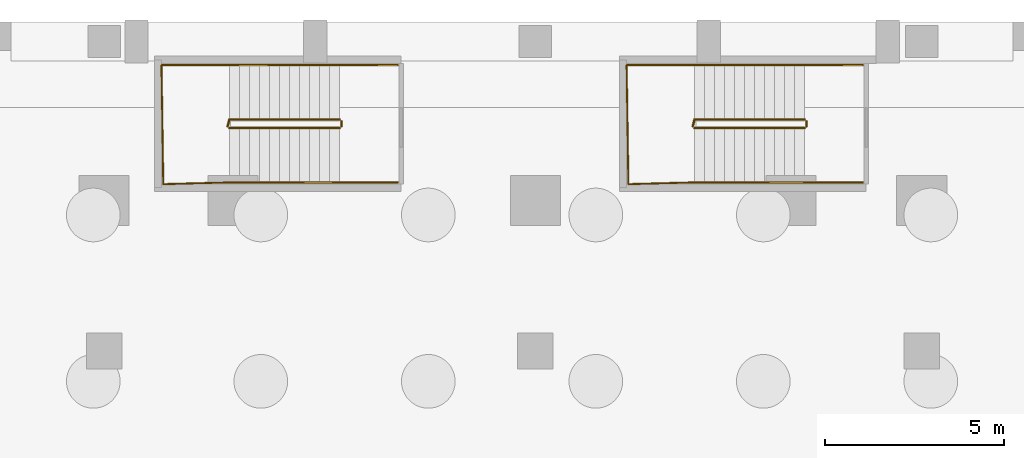
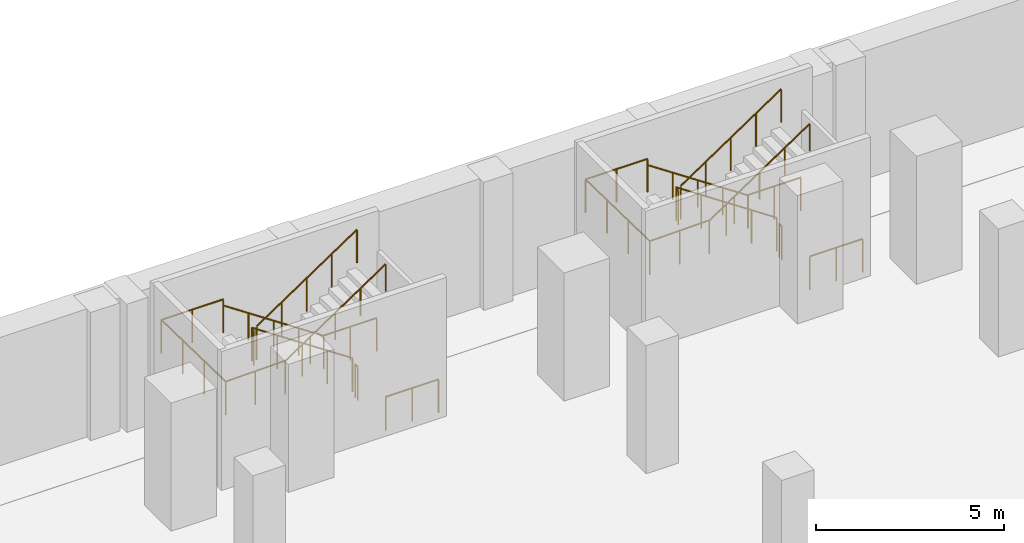
# One storey, part 17 of 18: 16 railings.
"""IFC4 building model written with IfcOpenShell, lengths in metres."""

import ifcopenshell
import ifcopenshell.guid

model = None  # the IFC model being written
_history = None  # IfcOwnerHistory: only IFC2X3 demands one
_inside = {}  # id of a spatial element -> (the spatial element, [elements in it])
_under = {}  # id of a project, library or spatial element -> (it, [spatial elements below it])
_declared = {}  # id of a project -> (the project, [libraries it declares])
_typed = {}  # id of a type object -> (the type object, [elements of that type])
_made_of = {}  # id of a material, layer set ... -> (it, [elements and type objects made of it])


def new_model(schema):
    """Start an empty IFC model of exactly this schema.

    Asked for "IFC4X3", IfcOpenShell would pick the latest addendum, in which some entities
    have other attributes; the version numbers below select the first issue.
    IFC2X3 requires an IfcOwnerHistory on every rooted entity: one is made here for all.
    """
    global model, _history
    if schema == "IFC4X3":
        model = ifcopenshell.file(schema_version=(4, 3, 0, 0))
    else:
        model = ifcopenshell.file(schema=schema)
    _inside.clear()
    _under.clear()
    _declared.clear()
    _typed.clear()
    _made_of.clear()
    _history = None
    if model.schema == "IFC2X3":
        org = make("IfcOrganization", Name="unknown")
        user = make(
            "IfcPersonAndOrganization",
            ThePerson=make("IfcPerson", FamilyName="unknown"),
            TheOrganization=org,
        )
        app = make(
            "IfcApplication",
            ApplicationDeveloper=org,
            Version="unknown",
            ApplicationFullName="unknown",
            ApplicationIdentifier="unknown",
        )
        _history = make(
            "IfcOwnerHistory",
            OwningUser=user,
            OwningApplication=app,
            ChangeAction="ADDED",
            CreationDate=0,
        )
    return model


def make(cls, **values):
    """One entity of the class cls with the attributes given. An attribute that is None is left unset."""
    return model.create_entity(
        cls, **{name: value for name, value in values.items() if value is not None}
    )


def rooted(cls, **values):
    """An entity with a GlobalId (a new one), such as an element, a storey or a relation."""
    return make(cls, GlobalId=ifcopenshell.guid.new(), OwnerHistory=_history, **values)


def si_unit(unit_type, name, prefix=None):
    """IfcSIUnit, for example si_unit("LENGTHUNIT", "METRE", prefix="MILLI")."""
    return make("IfcSIUnit", UnitType=unit_type, Prefix=prefix, Name=name)


def assignment(units):
    """IfcUnitAssignment: the units of a project."""
    return None if units is None else make("IfcUnitAssignment", Units=units)


def point(xyz):
    """IfcCartesianPoint."""
    return None if xyz is None else make("IfcCartesianPoint", Coordinates=xyz)


def direction(xyz):
    """IfcDirection."""
    return None if xyz is None else make("IfcDirection", DirectionRatios=xyz)


def frame(location, z_axis=None, x_axis=None):
    """IfcAxis2Placement3D, a coordinate frame: its origin and axes. An axis left out is left unset."""
    return make(
        "IfcAxis2Placement3D",
        Location=point(location),
        Axis=direction(z_axis),
        RefDirection=direction(x_axis),
    )


def frame_2d(location, x_axis=None):
    """IfcAxis2Placement2D, a coordinate frame in the plane: its origin and x axis."""
    return make(
        "IfcAxis2Placement2D", Location=point(location), RefDirection=direction(x_axis)
    )


def origin():
    """The frame at (0, 0, 0) with its axes left unset."""
    return frame((0.0, 0.0, 0.0))


def origin_2d():
    """The frame at (0, 0) in the plane with its x axis left unset."""
    return frame_2d((0.0, 0.0))


def place(relative_to, where):
    """IfcLocalPlacement: puts the frame where relative to a parent placement (None: the world)."""
    return make(
        "IfcLocalPlacement", PlacementRelTo=relative_to, RelativePlacement=where
    )


def context(
    kind, dimensions, precision=None, world=None, true_north=None, identifier=None
):
    """IfcGeometricRepresentationContext, for example the 3D "Model" context."""
    return make(
        "IfcGeometricRepresentationContext",
        ContextIdentifier=identifier,
        ContextType=kind,
        CoordinateSpaceDimension=dimensions,
        Precision=precision,
        WorldCoordinateSystem=world,
        TrueNorth=true_north,
    )


def subcontext(parent, identifier, kind, view, scale=None):
    """IfcGeometricRepresentationSubContext, for example "Body" below "Model"."""
    return make(
        "IfcGeometricRepresentationSubContext",
        ContextIdentifier=identifier,
        ContextType=kind,
        ParentContext=parent,
        TargetScale=scale,
        TargetView=view,
    )


def project(units=None, contexts=None):
    """IfcProject with its units and contexts."""
    return rooted(
        "IfcProject",
        Name="project",
        RepresentationContexts=contexts,
        UnitsInContext=assignment(units),
    )


def spatial(cls, under=None, at=None, **own):
    """A site, building, storey or space (cls), placed at a placement, below another one or the project."""
    s = rooted(cls, ObjectPlacement=at, **own)
    if under is not None:
        _under.setdefault(under.id(), (under, []))[1].append(s)
    return s


def profile(cls, at=None, kind="AREA", **sizes):
    """A parametric profile (cls). Its sizes go by their IFC names, for example OverallWidth=200.0."""
    return make(cls, ProfileType=kind, Position=at, **sizes)


def circle(**sizes):
    """IfcCircleProfileDef."""
    return profile("IfcCircleProfileDef", **sizes)


def extrude(swept, where, along, depth):
    """IfcExtrudedAreaSolid: the profile swept, set in the frame where, extruded along a direction by depth."""
    return make(
        "IfcExtrudedAreaSolid",
        SweptArea=swept,
        Position=where,
        ExtrudedDirection=direction(along),
        Depth=depth,
    )


def shape(context_of_items, identifier, shape_type, items):
    """IfcShapeRepresentation: the items that make up one representation, for example the "Body"."""
    return make(
        "IfcShapeRepresentation",
        ContextOfItems=context_of_items,
        RepresentationIdentifier=identifier,
        RepresentationType=shape_type,
        Items=items,
    )


def material(Name=None, Category=None):
    """IfcMaterial."""
    return make("IfcMaterial", Name=Name, Category=Category)


def layer(
    of_material, thickness, ventilated=None, Name=None, Category=None, Priority=None
):
    """IfcMaterialLayer: one layer of a wall or slab, of a material (None: an air gap)."""
    return make(
        "IfcMaterialLayer",
        Material=of_material,
        LayerThickness=thickness,
        IsVentilated=ventilated,
        Name=Name,
        Category=Category,
        Priority=Priority,
    )


def layer_set(layers, Name=None):
    """IfcMaterialLayerSet."""
    return make("IfcMaterialLayerSet", MaterialLayers=layers, LayerSetName=Name)


def made_of(thing, what):
    """Note that an element or type object is made of a material, layer set ...; save() writes the relation."""
    if what is not None:
        _made_of.setdefault(what.id(), (what, []))[1].append(thing)
    return thing


def type_object(cls, material=None, **own):
    """A type object (cls), such as IfcWallType, which elements share."""
    return made_of(rooted(cls, **own), material)


def element(
    cls,
    number,
    at=None,
    inside=None,
    cuts=None,
    type_object=None,
    material=None,
    context=None,
    identifier="Body",
    shape_type=None,
    held_by="IfcProductDefinitionShape",
    body=None,
    shapes=None,
    **own,
):
    """One element of the class cls, such as IfcWall. Its Tag is "e" and its number.

    at: its placement. inside: the storey or other place that contains it. cuts: it is an
    opening in that element (IfcRelVoidsElement). A single representation is given by context,
    identifier, shape_type and body (its items); several are given by shapes. held_by: the class
    of the entity that holds the representations. save() writes the other relations.
    """
    e = rooted(cls, Tag="e%d" % number, ObjectPlacement=at, **own)
    if body is not None:
        shapes = [shape(context, identifier, shape_type, body)]
    if shapes is not None:
        e.Representation = make(held_by, Representations=shapes)
    if inside is not None:
        _inside.setdefault(inside.id(), (inside, []))[1].append(e)
    if cuts is not None:
        rooted(
            "IfcRelVoidsElement", RelatingBuildingElement=cuts, RelatedOpeningElement=e
        )
    if type_object is not None:
        _typed.setdefault(type_object.id(), (type_object, []))[1].append(e)
    return made_of(e, material)


def aggregate(whole, parts):
    """IfcRelAggregates: a whole, such as a stair, and the parts it consists of."""
    return rooted("IfcRelAggregates", RelatingObject=whole, RelatedObjects=parts)


def save(model, path):
    """Write the relations noted so far, then the file.

    IfcRelAggregates (storeys below a building ...), IfcRelContainedInSpatialStructure (elements
    in a storey), IfcRelDefinesByType, IfcRelAssociatesMaterial and IfcRelDeclares: one each for
    every whole, place, type object, material and project.
    """
    for whole, parts in _under.values():
        aggregate(whole, parts)
    for where, things in _inside.values():
        rooted(
            "IfcRelContainedInSpatialStructure",
            RelatedElements=things,
            RelatingStructure=where,
        )
    for kind, things in _typed.values():
        rooted("IfcRelDefinesByType", RelatedObjects=things, RelatingType=kind)
    for what, things in _made_of.values():
        rooted("IfcRelAssociatesMaterial", RelatedObjects=things, RelatingMaterial=what)
    for by, libraries in _declared.values():
        rooted("IfcRelDeclares", RelatingContext=by, RelatedDefinitions=libraries)
    model.write(path)


model = new_model("IFC4")

# Units and contexts
model_context = context("Model", 3, precision=1e-05, world=origin(), true_north=direction((0.0, 1.0)))
body_context = subcontext(model_context, "Body", "Model", "MODEL_VIEW")
ifc_project = project(units=[si_unit("LENGTHUNIT", "METRE"), si_unit("AREAUNIT", "SQUARE_METRE"), si_unit("VOLUMEUNIT", "CUBIC_METRE"), si_unit("PLANEANGLEUNIT", "RADIAN"), si_unit("MASSUNIT", "GRAM", prefix="KILO")], contexts=[model_context])

# Site, building, storey
site_placement = place(None, origin())
site = spatial("IfcSite", under=ifc_project, at=site_placement, CompositionType="ELEMENT")
building_placement = place(site_placement, origin())
building = spatial("IfcBuilding", under=site, at=building_placement, Name="Ndaravel Arena Tower", CompositionType="ELEMENT")
storey_placement = place(building_placement, frame((0.0, 0.0, -9.0)))
storey = spatial("IfcBuildingStorey", under=building, at=storey_placement, Name="B02", CompositionType="ELEMENT", Elevation=-9.0)

# Railings
ifc_material_1 = material(Name="Steel S355", Category="steel")
ifc_layer_1 = layer(ifc_material_1, 0.06005859375)
ifc_layer_set_1 = layer_set([ifc_layer_1], Name="Steel S355")
railing_type_1 = type_object("IfcRailingType", Name="RAIL-STAIR-GD1100", PredefinedType="GUARDRAIL", material=ifc_layer_set_1)
railing_1_placement = place(storey_placement, frame((37.179931640625, 45.27001953125, 0.1875)))
element("IfcRailing", 1, at=railing_1_placement, inside=storey, type_object=railing_type_1, Name="B02 ST-B3 stair guard 1", PredefinedType="GUARDRAIL", context=body_context, shape_type="SweptSolid", body=[
    extrude(circle(Radius=0.02392578125, at=origin_2d()), frame((0.0, 0.0, 1.076171875), z_axis=(-0.830893310487, 0.0, 0.556431762742), x_axis=(0.0, -1.0, 0.0)), (0.0, 0.0, 1.0), 3.70654296875),
    extrude(circle(Radius=0.02392578125, at=origin_2d()), frame((-3.079833984375, 0.0, 3.138671875), z_axis=(-0.254799187253, -0.966993988697, 0.0), x_axis=(0.966993988697, -0.254799187253, 0.0)), (0.0, 0.0, 1.0), 0.196533203125),
    extrude(circle(Radius=0.02099609375, at=origin_2d()), origin(), (0.0, 0.0, 1.0), 1.052001953125),
    extrude(circle(Radius=0.02099609375, at=origin_2d()), frame((-0.77001953125, 0.0, 0.515625)), (0.0, 0.0, 1.0), 1.052001953125),
    extrude(circle(Radius=0.02099609375, at=origin_2d()), frame((-1.5400390625, 0.0, 1.03125)), (0.0, 0.0, 1.0), 1.052001953125),
    extrude(circle(Radius=0.02099609375, at=origin_2d()), frame((-2.309814453125, 0.0, 1.546875)), (0.0, 0.0, 1.0), 1.052001953125),
    extrude(circle(Radius=0.02099609375, at=origin_2d()), frame((-3.079833984375, 0.0, 2.0625)), (0.0, 0.0, 1.0), 1.052001953125),
    extrude(circle(Radius=0.02099609375, at=origin_2d()), frame((-3.1298828125, -0.18994140625, 2.0625)), (0.0, 0.0, 1.0), 1.052001953125),
])
railing_2_placement = place(storey_placement, frame((34.10009765625, 46.7900390625, 2.25)))
element("IfcRailing", 2, at=railing_2_placement, inside=storey, type_object=railing_type_1, Name="B02 ST-B3 stair guard 2", PredefinedType="GUARDRAIL", context=body_context, shape_type="SweptSolid", body=[
    extrude(circle(Radius=0.02392578125, at=origin_2d()), frame((0.0, 0.0, 1.076171875), z_axis=(-1.0, 0.0, 0.0), x_axis=(0.0, -1.0, 0.0)), (0.0, 0.0, 1.0), 1.900146484375),
    extrude(circle(Radius=0.02392578125, at=origin_2d()), frame((-1.900146484375, 0.0, 1.076171875), z_axis=(0.015027628384, -0.999887078817, 0.0), x_axis=(0.999887078817, 0.015027628384, 0.0)), (0.0, 0.0, 1.0), 3.33056640625),
    extrude(circle(Radius=0.02392578125, at=origin_2d()), frame((-1.85009765625, -3.330078125, 1.076171875), z_axis=(0.999634295555, 0.027042099576, 0.0), x_axis=(-0.027042099576, 0.999634295555, 0.0)), (0.0, 0.0, 1.0), 1.850830078125),
    extrude(circle(Radius=0.02099609375, at=origin_2d()), origin(), (0.0, 0.0, 1.0), 1.052001953125),
    extrude(circle(Radius=0.02099609375, at=origin_2d()), frame((-0.9501953125, 0.0, 0.0)), (0.0, 0.0, 1.0), 1.052001953125),
    extrude(circle(Radius=0.02099609375, at=origin_2d()), frame((-1.900146484375, 0.0, 0.0)), (0.0, 0.0, 1.0), 1.052001953125),
    extrude(circle(Radius=0.02099609375, at=origin_2d()), frame((-1.883544921875, -1.110107421875, 0.0)), (0.0, 0.0, 1.0), 1.052001953125),
    extrude(circle(Radius=0.02099609375, at=origin_2d()), frame((-1.86669921875, -2.219970703125, 0.0)), (0.0, 0.0, 1.0), 1.052001953125),
    extrude(circle(Radius=0.02099609375, at=origin_2d()), frame((-1.85009765625, -3.330078125, 0.0)), (0.0, 0.0, 1.0), 1.052001953125),
    extrude(circle(Radius=0.02099609375, at=origin_2d()), frame((-0.925048828125, -3.30517578125, 0.0)), (0.0, 0.0, 1.0), 1.052001953125),
    extrude(circle(Radius=0.02099609375, at=origin_2d()), frame((0.0, -3.280029296875, 0.0)), (0.0, 0.0, 1.0), 1.052001953125),
])
railing_3_placement = place(storey_placement, frame((34.10009765625, 45.030029296875, 2.4375)))
element("IfcRailing", 3, at=railing_3_placement, inside=storey, type_object=railing_type_1, Name="B02 ST-B3 stair guard 3", PredefinedType="GUARDRAIL", context=body_context, shape_type="SweptSolid", body=[
    extrude(circle(Radius=0.02392578125, at=origin_2d()), frame((0.0, 0.0, 1.076171875), z_axis=(0.830893310487, 0.0, 0.556431762742), x_axis=(0.0, 1.0, 0.0)), (0.0, 0.0, 1.0), 3.70654296875),
    extrude(circle(Radius=0.02099609375, at=origin_2d()), origin(), (0.0, 0.0, 1.0), 1.052001953125),
    extrude(circle(Radius=0.02099609375, at=origin_2d()), frame((0.77001953125, 0.0, 0.515625)), (0.0, 0.0, 1.0), 1.052001953125),
    extrude(circle(Radius=0.02099609375, at=origin_2d()), frame((1.5400390625, 0.0, 1.03125)), (0.0, 0.0, 1.0), 1.052001953125),
    extrude(circle(Radius=0.02099609375, at=origin_2d()), frame((2.309814453125, 0.0, 1.546875)), (0.0, 0.0, 1.0), 1.052001953125),
    extrude(circle(Radius=0.02099609375, at=origin_2d()), frame((3.079833984375, 0.0, 2.0625)), (0.0, 0.0, 1.0), 1.052001953125),
])
railing_4_placement = place(storey_placement, frame((37.22998046875, 45.219970703125, 0.0)))
element("IfcRailing", 4, at=railing_4_placement, inside=storey, type_object=railing_type_1, Name="B02 ST-B3 stair guard 4", PredefinedType="GUARDRAIL", context=body_context, shape_type="SweptSolid", body=[
    extrude(circle(Radius=0.02392578125, at=origin_2d()), frame((0.0, 0.0, 1.076171875), z_axis=(0.0, -1.0, 0.0), x_axis=(1.0, 0.0, 0.0)), (0.0, 0.0, 1.0), 0.139892578125),
    extrude(circle(Radius=0.02099609375, at=origin_2d()), origin(), (0.0, 0.0, 1.0), 1.052001953125),
    extrude(circle(Radius=0.02099609375, at=origin_2d()), frame((0.0, -0.139892578125, 0.0)), (0.0, 0.0, 1.0), 1.052001953125),
])
for number, where, name in (
    (5, (38.800048828125, 46.7900390625, 0.0), "B02 ST-B3 stair guard 5"),
    (6, (38.800048828125, 43.510009765625, 0.0), "B02 ST-B3 stair guard 6"),
):
    element("IfcRailing", number, at=place(storey_placement, frame(where)), inside=storey, type_object=railing_type_1, Name=name, PredefinedType="GUARDRAIL", context=body_context, shape_type="SweptSolid", body=[
        extrude(circle(Radius=0.02392578125, at=origin_2d()), frame((0.0, 0.0, 1.076171875), z_axis=(-1.0, 0.0, 0.0), x_axis=(0.0, -1.0, 0.0)), (0.0, 0.0, 1.0), 1.6201171875),
        extrude(circle(Radius=0.02099609375, at=origin_2d()), origin(), (0.0, 0.0, 1.0), 1.052001953125),
        extrude(circle(Radius=0.02099609375, at=origin_2d()), frame((-0.81005859375, 0.0, 0.0)), (0.0, 0.0, 1.0), 1.052001953125),
        extrude(circle(Radius=0.02099609375, at=origin_2d()), frame((-1.6201171875, 0.0, 0.0)), (0.0, 0.0, 1.0), 1.052001953125),
    ])
railing_5_placement = place(storey_placement, frame((50.179931640625, 45.27001953125, 0.1875)))
element("IfcRailing", 7, at=railing_5_placement, inside=storey, type_object=railing_type_1, Name="B02 ST-B4 stair guard 1", PredefinedType="GUARDRAIL", context=body_context, shape_type="SweptSolid", body=[
    extrude(circle(Radius=0.02392578125, at=origin_2d()), frame((0.0, 0.0, 1.076171875), z_axis=(-0.830893310487, 0.0, 0.556431762742), x_axis=(0.0, -1.0, 0.0)), (0.0, 0.0, 1.0), 3.70654296875),
    extrude(circle(Radius=0.02392578125, at=origin_2d()), frame((-3.079833984375, 0.0, 3.138671875), z_axis=(-0.254799187253, -0.966993988697, 0.0), x_axis=(0.966993988697, -0.254799187253, 0.0)), (0.0, 0.0, 1.0), 0.196533203125),
    extrude(circle(Radius=0.02099609375, at=origin_2d()), origin(), (0.0, 0.0, 1.0), 1.052001953125),
    extrude(circle(Radius=0.02099609375, at=origin_2d()), frame((-0.77001953125, 0.0, 0.515625)), (0.0, 0.0, 1.0), 1.052001953125),
    extrude(circle(Radius=0.02099609375, at=origin_2d()), frame((-1.5400390625, 0.0, 1.03125)), (0.0, 0.0, 1.0), 1.052001953125),
    extrude(circle(Radius=0.02099609375, at=origin_2d()), frame((-2.309814453125, 0.0, 1.546875)), (0.0, 0.0, 1.0), 1.052001953125),
    extrude(circle(Radius=0.02099609375, at=origin_2d()), frame((-3.079833984375, 0.0, 2.0625)), (0.0, 0.0, 1.0), 1.052001953125),
    extrude(circle(Radius=0.02099609375, at=origin_2d()), frame((-3.1298828125, -0.18994140625, 2.0625)), (0.0, 0.0, 1.0), 1.052001953125),
])
railing_6_placement = place(storey_placement, frame((47.10009765625, 46.7900390625, 2.25)))
element("IfcRailing", 8, at=railing_6_placement, inside=storey, type_object=railing_type_1, Name="B02 ST-B4 stair guard 2", PredefinedType="GUARDRAIL", context=body_context, shape_type="SweptSolid", body=[
    extrude(circle(Radius=0.02392578125, at=origin_2d()), frame((0.0, 0.0, 1.076171875), z_axis=(-1.0, 0.0, 0.0), x_axis=(0.0, -1.0, 0.0)), (0.0, 0.0, 1.0), 1.900146484375),
    extrude(circle(Radius=0.02392578125, at=origin_2d()), frame((-1.900146484375, 0.0, 1.076171875), z_axis=(0.015027628384, -0.999887078817, 0.0), x_axis=(0.999887078817, 0.015027628384, 0.0)), (0.0, 0.0, 1.0), 3.33056640625),
    extrude(circle(Radius=0.02392578125, at=origin_2d()), frame((-1.85009765625, -3.330078125, 1.076171875), z_axis=(0.999634295555, 0.027042099576, 0.0), x_axis=(-0.027042099576, 0.999634295555, 0.0)), (0.0, 0.0, 1.0), 1.850830078125),
    extrude(circle(Radius=0.02099609375, at=origin_2d()), origin(), (0.0, 0.0, 1.0), 1.052001953125),
    extrude(circle(Radius=0.02099609375, at=origin_2d()), frame((-0.9501953125, 0.0, 0.0)), (0.0, 0.0, 1.0), 1.052001953125),
    extrude(circle(Radius=0.02099609375, at=origin_2d()), frame((-1.900146484375, 0.0, 0.0)), (0.0, 0.0, 1.0), 1.052001953125),
    extrude(circle(Radius=0.02099609375, at=origin_2d()), frame((-1.883544921875, -1.110107421875, 0.0)), (0.0, 0.0, 1.0), 1.052001953125),
    extrude(circle(Radius=0.02099609375, at=origin_2d()), frame((-1.86669921875, -2.219970703125, 0.0)), (0.0, 0.0, 1.0), 1.052001953125),
    extrude(circle(Radius=0.02099609375, at=origin_2d()), frame((-1.85009765625, -3.330078125, 0.0)), (0.0, 0.0, 1.0), 1.052001953125),
    extrude(circle(Radius=0.02099609375, at=origin_2d()), frame((-0.925048828125, -3.30517578125, 0.0)), (0.0, 0.0, 1.0), 1.052001953125),
    extrude(circle(Radius=0.02099609375, at=origin_2d()), frame((0.0, -3.280029296875, 0.0)), (0.0, 0.0, 1.0), 1.052001953125),
])
railing_7_placement = place(storey_placement, frame((47.10009765625, 45.030029296875, 2.4375)))
element("IfcRailing", 9, at=railing_7_placement, inside=storey, type_object=railing_type_1, Name="B02 ST-B4 stair guard 3", PredefinedType="GUARDRAIL", context=body_context, shape_type="SweptSolid", body=[
    extrude(circle(Radius=0.02392578125, at=origin_2d()), frame((0.0, 0.0, 1.076171875), z_axis=(0.830893310487, 0.0, 0.556431762742), x_axis=(0.0, 1.0, 0.0)), (0.0, 0.0, 1.0), 3.70654296875),
    extrude(circle(Radius=0.02099609375, at=origin_2d()), origin(), (0.0, 0.0, 1.0), 1.052001953125),
    extrude(circle(Radius=0.02099609375, at=origin_2d()), frame((0.77001953125, 0.0, 0.515625)), (0.0, 0.0, 1.0), 1.052001953125),
    extrude(circle(Radius=0.02099609375, at=origin_2d()), frame((1.5400390625, 0.0, 1.03125)), (0.0, 0.0, 1.0), 1.052001953125),
    extrude(circle(Radius=0.02099609375, at=origin_2d()), frame((2.309814453125, 0.0, 1.546875)), (0.0, 0.0, 1.0), 1.052001953125),
    extrude(circle(Radius=0.02099609375, at=origin_2d()), frame((3.079833984375, 0.0, 2.0625)), (0.0, 0.0, 1.0), 1.052001953125),
])
railing_8_placement = place(storey_placement, frame((50.22998046875, 45.219970703125, 0.0)))
element("IfcRailing", 10, at=railing_8_placement, inside=storey, type_object=railing_type_1, Name="B02 ST-B4 stair guard 4", PredefinedType="GUARDRAIL", context=body_context, shape_type="SweptSolid", body=[
    extrude(circle(Radius=0.02392578125, at=origin_2d()), frame((0.0, 0.0, 1.076171875), z_axis=(0.0, -1.0, 0.0), x_axis=(1.0, 0.0, 0.0)), (0.0, 0.0, 1.0), 0.139892578125),
    extrude(circle(Radius=0.02099609375, at=origin_2d()), origin(), (0.0, 0.0, 1.0), 1.052001953125),
    extrude(circle(Radius=0.02099609375, at=origin_2d()), frame((0.0, -0.139892578125, 0.0)), (0.0, 0.0, 1.0), 1.052001953125),
])
for number, where, name in (
    (11, (51.800048828125, 46.7900390625, 0.0), "B02 ST-B4 stair guard 5"),
    (12, (51.800048828125, 43.510009765625, 0.0), "B02 ST-B4 stair guard 6"),
):
    element("IfcRailing", number, at=place(storey_placement, frame(where)), inside=storey, type_object=railing_type_1, Name=name, PredefinedType="GUARDRAIL", context=body_context, shape_type="SweptSolid", body=[
        extrude(circle(Radius=0.02392578125, at=origin_2d()), frame((0.0, 0.0, 1.076171875), z_axis=(-1.0, 0.0, 0.0), x_axis=(0.0, -1.0, 0.0)), (0.0, 0.0, 1.0), 1.6201171875),
        extrude(circle(Radius=0.02099609375, at=origin_2d()), origin(), (0.0, 0.0, 1.0), 1.052001953125),
        extrude(circle(Radius=0.02099609375, at=origin_2d()), frame((-0.81005859375, 0.0, 0.0)), (0.0, 0.0, 1.0), 1.052001953125),
        extrude(circle(Radius=0.02099609375, at=origin_2d()), frame((-1.6201171875, 0.0, 0.0)), (0.0, 0.0, 1.0), 1.052001953125),
    ])
ifc_material_2 = material(Name="Steel S355", Category="steel")
ifc_layer_2 = layer(ifc_material_2, 0.050048828125)
ifc_layer_set_2 = layer_set([ifc_layer_2], Name="Steel S355")
railing_type_2 = type_object("IfcRailingType", Name="RAIL-STAIR-HR920", PredefinedType="HANDRAIL", material=ifc_layer_set_2)
railing_9_placement = place(storey_placement, frame((37.179931640625, 46.7900390625, 0.1875)))
element("IfcRailing", 13, at=railing_9_placement, inside=storey, type_object=railing_type_2, Name="B02 ST-B3 stair handrail 1", PredefinedType="HANDRAIL", context=body_context, shape_type="SweptSolid", body=[
    extrude(circle(Radius=0.02392578125, at=origin_2d()), frame((0.0, 0.0, 0.8759765625), z_axis=(-0.830893310487, 0.0, 0.556431762742), x_axis=(0.0, -1.0, 0.0)), (0.0, 0.0, 1.0), 3.70654296875),
    extrude(circle(Radius=0.02099609375, at=origin_2d()), origin(), (0.0, 0.0, 1.0), 0.851806640625),
    extrude(circle(Radius=0.02099609375, at=origin_2d()), frame((-0.77001953125, 0.0, 0.515625)), (0.0, 0.0, 1.0), 0.851806640625),
    extrude(circle(Radius=0.02099609375, at=origin_2d()), frame((-1.5400390625, 0.0, 1.03125)), (0.0, 0.0, 1.0), 0.851806640625),
    extrude(circle(Radius=0.02099609375, at=origin_2d()), frame((-2.309814453125, 0.0, 1.546875)), (0.0, 0.0, 1.0), 0.851806640625),
    extrude(circle(Radius=0.02099609375, at=origin_2d()), frame((-3.079833984375, 0.0, 2.0625)), (0.0, 0.0, 1.0), 0.851806640625),
])
railing_10_placement = place(storey_placement, frame((34.10009765625, 43.510009765625, 2.4375)))
element("IfcRailing", 14, at=railing_10_placement, inside=storey, type_object=railing_type_2, Name="B02 ST-B3 stair handrail 2", PredefinedType="HANDRAIL", context=body_context, shape_type="SweptSolid", body=[
    extrude(circle(Radius=0.02392578125, at=origin_2d()), frame((0.0, 0.0, 0.8759765625), z_axis=(0.830893310487, 0.0, 0.556431762742), x_axis=(0.0, 1.0, 0.0)), (0.0, 0.0, 1.0), 3.70654296875),
    extrude(circle(Radius=0.02099609375, at=origin_2d()), origin(), (0.0, 0.0, 1.0), 0.851806640625),
    extrude(circle(Radius=0.02099609375, at=origin_2d()), frame((0.77001953125, 0.0, 0.515625)), (0.0, 0.0, 1.0), 0.851806640625),
    extrude(circle(Radius=0.02099609375, at=origin_2d()), frame((1.5400390625, 0.0, 1.03125)), (0.0, 0.0, 1.0), 0.851806640625),
    extrude(circle(Radius=0.02099609375, at=origin_2d()), frame((2.309814453125, 0.0, 1.546875)), (0.0, 0.0, 1.0), 0.851806640625),
    extrude(circle(Radius=0.02099609375, at=origin_2d()), frame((3.079833984375, 0.0, 2.0625)), (0.0, 0.0, 1.0), 0.851806640625),
])
railing_11_placement = place(storey_placement, frame((50.179931640625, 46.7900390625, 0.1875)))
element("IfcRailing", 15, at=railing_11_placement, inside=storey, type_object=railing_type_2, Name="B02 ST-B4 stair handrail 1", PredefinedType="HANDRAIL", context=body_context, shape_type="SweptSolid", body=[
    extrude(circle(Radius=0.02392578125, at=origin_2d()), frame((0.0, 0.0, 0.8759765625), z_axis=(-0.830893310487, 0.0, 0.556431762742), x_axis=(0.0, -1.0, 0.0)), (0.0, 0.0, 1.0), 3.70654296875),
    extrude(circle(Radius=0.02099609375, at=origin_2d()), origin(), (0.0, 0.0, 1.0), 0.851806640625),
    extrude(circle(Radius=0.02099609375, at=origin_2d()), frame((-0.77001953125, 0.0, 0.515625)), (0.0, 0.0, 1.0), 0.851806640625),
    extrude(circle(Radius=0.02099609375, at=origin_2d()), frame((-1.5400390625, 0.0, 1.03125)), (0.0, 0.0, 1.0), 0.851806640625),
    extrude(circle(Radius=0.02099609375, at=origin_2d()), frame((-2.309814453125, 0.0, 1.546875)), (0.0, 0.0, 1.0), 0.851806640625),
    extrude(circle(Radius=0.02099609375, at=origin_2d()), frame((-3.079833984375, 0.0, 2.0625)), (0.0, 0.0, 1.0), 0.851806640625),
])
railing_12_placement = place(storey_placement, frame((47.10009765625, 43.510009765625, 2.4375)))
element("IfcRailing", 16, at=railing_12_placement, inside=storey, type_object=railing_type_2, Name="B02 ST-B4 stair handrail 2", PredefinedType="HANDRAIL", context=body_context, shape_type="SweptSolid", body=[
    extrude(circle(Radius=0.02392578125, at=origin_2d()), frame((0.0, 0.0, 0.8759765625), z_axis=(0.830893310487, 0.0, 0.556431762742), x_axis=(0.0, 1.0, 0.0)), (0.0, 0.0, 1.0), 3.70654296875),
    extrude(circle(Radius=0.02099609375, at=origin_2d()), origin(), (0.0, 0.0, 1.0), 0.851806640625),
    extrude(circle(Radius=0.02099609375, at=origin_2d()), frame((0.77001953125, 0.0, 0.515625)), (0.0, 0.0, 1.0), 0.851806640625),
    extrude(circle(Radius=0.02099609375, at=origin_2d()), frame((1.5400390625, 0.0, 1.03125)), (0.0, 0.0, 1.0), 0.851806640625),
    extrude(circle(Radius=0.02099609375, at=origin_2d()), frame((2.309814453125, 0.0, 1.546875)), (0.0, 0.0, 1.0), 0.851806640625),
    extrude(circle(Radius=0.02099609375, at=origin_2d()), frame((3.079833984375, 0.0, 2.0625)), (0.0, 0.0, 1.0), 0.851806640625),
])

save(model, "model.ifc")
